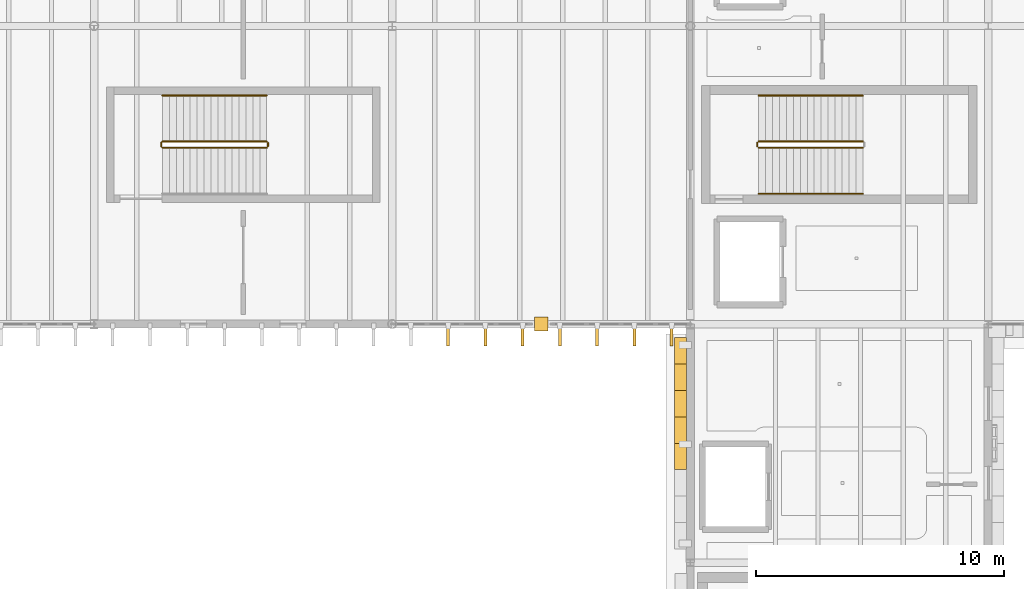
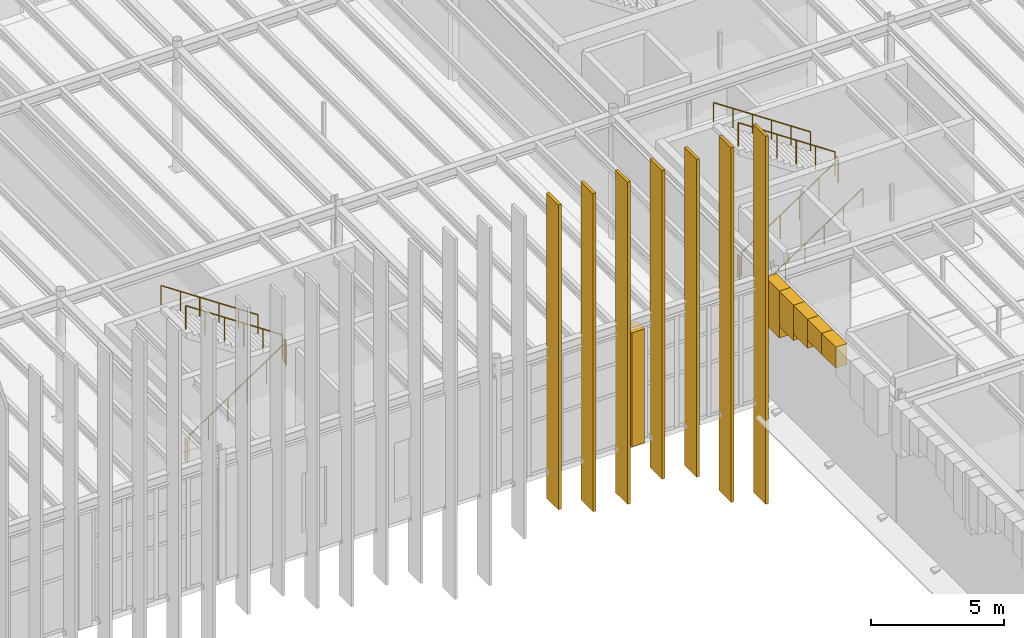
# One storey, part 69 of 83: 13 coverings, 10 railings.
"""IFC4 building model written with IfcOpenShell, lengths in metres."""

from ifc_helpers import new_model, si_unit, direction, frame, origin, origin_2d, place, context, subcontext, project, spatial, polyline, circle, outline, extrude, material, layer, layer_set, type_object, element, save


model = new_model("IFC4")

# Units and contexts
model_context = context("Model", 3, precision=1e-05, world=origin(), true_north=direction((0.0, 1.0)))
body_context = subcontext(model_context, "Body", "Model", "MODEL_VIEW")
ifc_project = project(units=[si_unit("LENGTHUNIT", "METRE"), si_unit("AREAUNIT", "SQUARE_METRE"), si_unit("VOLUMEUNIT", "CUBIC_METRE"), si_unit("PLANEANGLEUNIT", "RADIAN"), si_unit("MASSUNIT", "GRAM", prefix="KILO")], contexts=[model_context])

# Site, building, storey
site_placement = place(None, origin())
site = spatial("IfcSite", under=ifc_project, at=site_placement, CompositionType="ELEMENT")
building_placement = place(site_placement, origin())
building = spatial("IfcBuilding", under=site, at=building_placement, Name="Zlatogorsky Bluff Art Gallery", CompositionType="ELEMENT")
storey_placement = place(building_placement, frame((0.0, 0.0, 10.800048828125)))
storey = spatial("IfcBuildingStorey", under=building, at=storey_placement, Name="L02", CompositionType="ELEMENT", Elevation=10.800048828125)

# Coverings
ifc_material_1 = material(Name="Honed Red Agra-Tone Quartzitic Sandstone", Category="masonry")
ifc_layer_1 = layer(ifc_material_1, 0.1201171875)
ifc_layer_set_1 = layer_set([ifc_layer_1], Name="Carved Sandstone Cladding CLD-02")
covering_type_1 = type_object("IfcCoveringType", Name="Carved Sandstone Cladding CLD-02", PredefinedType="CLADDING", material=ifc_layer_set_1)
covering_1_placement = place(storey_placement, frame((0.0, 0.0, -0.030029296875)))
element("IfcCovering", 1, at=covering_1_placement, inside=storey, type_object=covering_type_1, Name="Mughal dalan central sandstone pier L02 S 9.8", PredefinedType="CLADDING", context=body_context, shape_type="SweptSolid", body=[
    extrude(outline(polyline([(113.719970703125, 83.719970703125), (114.280029296875, 83.719970703125), (114.280029296875, 84.280029296875), (113.719970703125, 84.280029296875), (113.719970703125, 83.719970703125)])), origin(), (0.0, 0.0, 1.0), 5.239990234375),
])
covering_2_placement = place(storey_placement, frame((0.0, 0.0, 4.995361328125)))
element("IfcCovering", 2, at=covering_2_placement, inside=storey, type_object=covering_type_1, Name="Pointed Mughal arch voussoir spandrel WARCH-L02-W-10-07-A.4", PredefinedType="CLADDING", context=body_context, shape_type="SweptSolid", body=[
    extrude(outline(polyline([(119.360107421875, 78.137451171875), (119.360107421875, 79.199951171875), (119.85009765625, 79.199951171875), (119.85009765625, 78.137451171875), (119.360107421875, 78.137451171875)])), origin(), (0.0, 0.0, 1.0), 0.964599609375),
])
covering_3_placement = place(storey_placement, frame((0.0, 0.0, 4.995361328125)))
element("IfcCovering", 3, at=covering_3_placement, inside=storey, type_object=covering_type_1, Name="Pointed Mughal arch voussoir spandrel WARCH-L02-W-10-07-A.5", PredefinedType="CLADDING", context=body_context, shape_type="SweptSolid", body=[
    extrude(outline(polyline([(119.360107421875, 79.199951171875), (119.360107421875, 80.262451171875), (119.85009765625, 80.262451171875), (119.85009765625, 79.199951171875), (119.360107421875, 79.199951171875)])), origin(), (0.0, 0.0, 1.0), 0.964599609375),
])
covering_4_placement = place(storey_placement, frame((0.0, 0.0, 4.626708984375)))
element("IfcCovering", 4, at=covering_4_placement, inside=storey, type_object=covering_type_1, Name="Pointed Mughal arch voussoir spandrel WARCH-L02-W-10-07-A.6", PredefinedType="CLADDING", context=body_context, shape_type="SweptSolid", body=[
    extrude(outline(polyline([(119.360107421875, 80.262451171875), (119.360107421875, 81.324951171875), (119.85009765625, 81.324951171875), (119.85009765625, 80.262451171875), (119.360107421875, 80.262451171875)])), origin(), (0.0, 0.0, 1.0), 1.333251953125),
])
covering_5_placement = place(storey_placement, frame((0.0, 0.0, 4.333740234375)))
element("IfcCovering", 5, at=covering_5_placement, inside=storey, type_object=covering_type_1, Name="Pointed Mughal arch voussoir spandrel WARCH-L02-W-10-07-A.7", PredefinedType="CLADDING", context=body_context, shape_type="SweptSolid", body=[
    extrude(outline(polyline([(119.360107421875, 81.324951171875), (119.360107421875, 82.387451171875), (119.85009765625, 82.387451171875), (119.85009765625, 81.324951171875), (119.360107421875, 81.324951171875)])), origin(), (0.0, 0.0, 1.0), 1.626220703125),
])
covering_6_placement = place(storey_placement, frame((0.0, 0.0, 3.80224609375)))
element("IfcCovering", 6, at=covering_6_placement, inside=storey, type_object=covering_type_1, Name="Pointed Mughal arch voussoir spandrel WARCH-L02-W-10-07-A.8", PredefinedType="CLADDING", context=body_context, shape_type="SweptSolid", body=[
    extrude(outline(polyline([(119.360107421875, 82.387451171875), (119.360107421875, 83.449951171875), (119.85009765625, 83.449951171875), (119.85009765625, 82.387451171875), (119.360107421875, 82.387451171875)])), origin(), (0.0, 0.0, 1.0), 2.15771484375),
])

# Railings
ifc_material_2 = material(Name="Architectural Bronze and Laminated Glass", Category="glass")
railing_type_1 = type_object("IfcRailingType", Name="Gallery Guard Rail 1100mm", PredefinedType="GUARDRAIL", material=ifc_material_2)
railing_1_placement = place(storey_placement, frame((98.75, 91.10009765625, 0.1875)))
element("IfcRailing", 7, at=railing_1_placement, inside=storey, type_object=railing_type_1, Name="L02 ST-01 stair guard 1", PredefinedType="GUARDRAIL", context=body_context, shape_type="SweptSolid", body=[
    extrude(circle(Radius=0.02392578125, at=origin_2d()), frame((0.0, 0.0, 1.076171875), z_axis=(0.830904186295, 0.0, 0.556415522067), x_axis=(0.0, 1.0, 0.0)), (0.0, 0.0, 1.0), 5.0546875),
    extrude(circle(Radius=0.02099609375, at=origin_2d()), origin(), (0.0, 0.0, 1.0), 1.052001953125),
    extrude(circle(Radius=0.02099609375, at=origin_2d()), frame((0.840087890625, 0.0, 0.5625)), (0.0, 0.0, 1.0), 1.052001953125),
    extrude(circle(Radius=0.02099609375, at=origin_2d()), frame((1.679931640625, 0.0, 1.125)), (0.0, 0.0, 1.0), 1.052001953125),
    extrude(circle(Radius=0.02099609375, at=origin_2d()), frame((2.52001953125, 0.0, 1.6875)), (0.0, 0.0, 1.0), 1.052001953125),
    extrude(circle(Radius=0.02099609375, at=origin_2d()), frame((3.35986328125, 0.0, 2.25)), (0.0, 0.0, 1.0), 1.052001953125),
    extrude(circle(Radius=0.02099609375, at=origin_2d()), frame((4.199951171875, 0.0, 2.8125)), (0.0, 0.0, 1.0), 1.052001953125),
])
railing_2_placement = place(storey_placement, frame((103.0, 91.14990234375, 3.0)))
element("IfcRailing", 8, at=railing_2_placement, inside=storey, type_object=railing_type_1, Name="L02 ST-01 stair guard 2", PredefinedType="GUARDRAIL", context=body_context, shape_type="SweptSolid", body=[
    extrude(circle(Radius=0.02392578125, at=origin_2d()), frame((0.0, 0.0, 1.076171875), z_axis=(0.0, 1.0, 0.0), x_axis=(-1.0, 0.0, 0.0)), (0.0, 0.0, 1.0), 0.150146484375),
    extrude(circle(Radius=0.02099609375, at=origin_2d()), origin(), (0.0, 0.0, 1.0), 1.052001953125),
    extrude(circle(Radius=0.02099609375, at=origin_2d()), frame((0.0, 0.150146484375, 0.0)), (0.0, 0.0, 1.0), 1.052001953125),
])
railing_3_placement = place(storey_placement, frame((102.949951171875, 91.35009765625, 3.1875)))
element("IfcRailing", 9, at=railing_3_placement, inside=storey, type_object=railing_type_1, Name="L02 ST-01 stair guard 3", PredefinedType="GUARDRAIL", context=body_context, shape_type="SweptSolid", body=[
    extrude(circle(Radius=0.02392578125, at=origin_2d()), frame((0.0, 0.0, 1.076171875), z_axis=(-0.830904186295, 0.0, 0.556415522067), x_axis=(0.0, -1.0, 0.0)), (0.0, 0.0, 1.0), 5.0546875),
    extrude(circle(Radius=0.02099609375, at=origin_2d()), origin(), (0.0, 0.0, 1.0), 1.052001953125),
    extrude(circle(Radius=0.02099609375, at=origin_2d()), frame((-0.840087890625, 0.0, 0.5625)), (0.0, 0.0, 1.0), 1.052001953125),
    extrude(circle(Radius=0.02099609375, at=origin_2d()), frame((-1.679931640625, 0.0, 1.125)), (0.0, 0.0, 1.0), 1.052001953125),
    extrude(circle(Radius=0.02099609375, at=origin_2d()), frame((-2.52001953125, 0.0, 1.6875)), (0.0, 0.0, 1.0), 1.052001953125),
    extrude(circle(Radius=0.02099609375, at=origin_2d()), frame((-3.35986328125, 0.0, 2.25)), (0.0, 0.0, 1.0), 1.052001953125),
    extrude(circle(Radius=0.02099609375, at=origin_2d()), frame((-4.199951171875, 0.0, 2.8125)), (0.0, 0.0, 1.0), 1.052001953125),
])
railing_4_placement = place(storey_placement, frame((98.699951171875, 91.14990234375, 0.0)))
element("IfcRailing", 10, at=railing_4_placement, inside=storey, type_object=railing_type_1, Name="L02 ST-01 stair guard 4", PredefinedType="GUARDRAIL", context=body_context, shape_type="SweptSolid", body=[
    extrude(circle(Radius=0.02392578125, at=origin_2d()), frame((0.0, 0.0, 1.076171875), z_axis=(0.0, 1.0, 0.0), x_axis=(-1.0, 0.0, 0.0)), (0.0, 0.0, 1.0), 0.150146484375),
    extrude(circle(Radius=0.02099609375, at=origin_2d()), origin(), (0.0, 0.0, 1.0), 1.052001953125),
    extrude(circle(Radius=0.02099609375, at=origin_2d()), frame((0.0, 0.150146484375, 0.0)), (0.0, 0.0, 1.0), 1.052001953125),
])
railing_5_placement = place(storey_placement, frame((122.75, 91.10009765625, 0.1875)))
element("IfcRailing", 11, at=railing_5_placement, inside=storey, type_object=railing_type_1, Name="L02 ST-02 stair guard 1", PredefinedType="GUARDRAIL", context=body_context, shape_type="SweptSolid", body=[
    extrude(circle(Radius=0.02392578125, at=origin_2d()), frame((0.0, 0.0, 1.076171875), z_axis=(0.830904186295, 0.0, 0.556415522067), x_axis=(0.0, 1.0, 0.0)), (0.0, 0.0, 1.0), 5.0546875),
    extrude(circle(Radius=0.02099609375, at=origin_2d()), origin(), (0.0, 0.0, 1.0), 1.052001953125),
    extrude(circle(Radius=0.02099609375, at=origin_2d()), frame((0.840087890625, 0.0, 0.5625)), (0.0, 0.0, 1.0), 1.052001953125),
    extrude(circle(Radius=0.02099609375, at=origin_2d()), frame((1.679931640625, 0.0, 1.125)), (0.0, 0.0, 1.0), 1.052001953125),
    extrude(circle(Radius=0.02099609375, at=origin_2d()), frame((2.52001953125, 0.0, 1.6875)), (0.0, 0.0, 1.0), 1.052001953125),
    extrude(circle(Radius=0.02099609375, at=origin_2d()), frame((3.35986328125, 0.0, 2.25)), (0.0, 0.0, 1.0), 1.052001953125),
    extrude(circle(Radius=0.02099609375, at=origin_2d()), frame((4.199951171875, 0.0, 2.8125)), (0.0, 0.0, 1.0), 1.052001953125),
])
railing_6_placement = place(storey_placement, frame((126.949951171875, 91.35009765625, 3.1875)))
element("IfcRailing", 12, at=railing_6_placement, inside=storey, type_object=railing_type_1, Name="L02 ST-02 stair guard 3", PredefinedType="GUARDRAIL", context=body_context, shape_type="SweptSolid", body=[
    extrude(circle(Radius=0.02392578125, at=origin_2d()), frame((0.0, 0.0, 1.076171875), z_axis=(-0.830904186295, 0.0, 0.556415522067), x_axis=(0.0, -1.0, 0.0)), (0.0, 0.0, 1.0), 5.0546875),
    extrude(circle(Radius=0.02099609375, at=origin_2d()), origin(), (0.0, 0.0, 1.0), 1.052001953125),
    extrude(circle(Radius=0.02099609375, at=origin_2d()), frame((-0.840087890625, 0.0, 0.5625)), (0.0, 0.0, 1.0), 1.052001953125),
    extrude(circle(Radius=0.02099609375, at=origin_2d()), frame((-1.679931640625, 0.0, 1.125)), (0.0, 0.0, 1.0), 1.052001953125),
    extrude(circle(Radius=0.02099609375, at=origin_2d()), frame((-2.52001953125, 0.0, 1.6875)), (0.0, 0.0, 1.0), 1.052001953125),
    extrude(circle(Radius=0.02099609375, at=origin_2d()), frame((-3.35986328125, 0.0, 2.25)), (0.0, 0.0, 1.0), 1.052001953125),
    extrude(circle(Radius=0.02099609375, at=origin_2d()), frame((-4.199951171875, 0.0, 2.8125)), (0.0, 0.0, 1.0), 1.052001953125),
])
railing_7_placement = place(storey_placement, frame((122.699951171875, 91.14990234375, 0.0)))
element("IfcRailing", 13, at=railing_7_placement, inside=storey, type_object=railing_type_1, Name="L02 ST-02 stair guard 4", PredefinedType="GUARDRAIL", context=body_context, shape_type="SweptSolid", body=[
    extrude(circle(Radius=0.02392578125, at=origin_2d()), frame((0.0, 0.0, 1.076171875), z_axis=(0.0, 1.0, 0.0), x_axis=(-1.0, 0.0, 0.0)), (0.0, 0.0, 1.0), 0.150146484375),
    extrude(circle(Radius=0.02099609375, at=origin_2d()), origin(), (0.0, 0.0, 1.0), 1.052001953125),
    extrude(circle(Radius=0.02099609375, at=origin_2d()), frame((0.0, 0.150146484375, 0.0)), (0.0, 0.0, 1.0), 1.052001953125),
])
ifc_material_3 = material(Name="Brushed Stainless Steel", Category="steel")
railing_type_2 = type_object("IfcRailingType", Name="Stair Pitch Handrail 900mm", PredefinedType="HANDRAIL", material=ifc_material_3)
railing_8_placement = place(storey_placement, frame((102.949951171875, 93.199951171875, 3.1875)))
element("IfcRailing", 14, at=railing_8_placement, inside=storey, type_object=railing_type_2, Name="L02 ST-01 stair handrail 2", PredefinedType="HANDRAIL", context=body_context, shape_type="SweptSolid", body=[
    extrude(circle(Radius=0.02392578125, at=origin_2d()), frame((0.0, 0.0, 0.8759765625), z_axis=(-0.830904186295, 0.0, 0.556415522067), x_axis=(0.0, -1.0, 0.0)), (0.0, 0.0, 1.0), 5.0546875),
    extrude(circle(Radius=0.02099609375, at=origin_2d()), origin(), (0.0, 0.0, 1.0), 0.851806640625),
    extrude(circle(Radius=0.02099609375, at=origin_2d()), frame((-0.840087890625, 0.0, 0.5625)), (0.0, 0.0, 1.0), 0.851806640625),
    extrude(circle(Radius=0.02099609375, at=origin_2d()), frame((-1.679931640625, 0.0, 1.125)), (0.0, 0.0, 1.0), 0.851806640625),
    extrude(circle(Radius=0.02099609375, at=origin_2d()), frame((-2.52001953125, 0.0, 1.6875)), (0.0, 0.0, 1.0), 0.851806640625),
    extrude(circle(Radius=0.02099609375, at=origin_2d()), frame((-3.35986328125, 0.0, 2.25)), (0.0, 0.0, 1.0), 0.851806640625),
    extrude(circle(Radius=0.02099609375, at=origin_2d()), frame((-4.199951171875, 0.0, 2.8125)), (0.0, 0.0, 1.0), 0.851806640625),
])
railing_9_placement = place(storey_placement, frame((122.75, 89.25, 0.1875)))
element("IfcRailing", 15, at=railing_9_placement, inside=storey, type_object=railing_type_2, Name="L02 ST-02 stair handrail 1", PredefinedType="HANDRAIL", context=body_context, shape_type="SweptSolid", body=[
    extrude(circle(Radius=0.02392578125, at=origin_2d()), frame((0.0, 0.0, 0.8759765625), z_axis=(0.830904186295, 0.0, 0.556415522067), x_axis=(0.0, 1.0, 0.0)), (0.0, 0.0, 1.0), 5.0546875),
    extrude(circle(Radius=0.02099609375, at=origin_2d()), origin(), (0.0, 0.0, 1.0), 0.851806640625),
    extrude(circle(Radius=0.02099609375, at=origin_2d()), frame((0.840087890625, 0.0, 0.5625)), (0.0, 0.0, 1.0), 0.851806640625),
    extrude(circle(Radius=0.02099609375, at=origin_2d()), frame((1.679931640625, 0.0, 1.125)), (0.0, 0.0, 1.0), 0.851806640625),
    extrude(circle(Radius=0.02099609375, at=origin_2d()), frame((2.52001953125, 0.0, 1.6875)), (0.0, 0.0, 1.0), 0.851806640625),
    extrude(circle(Radius=0.02099609375, at=origin_2d()), frame((3.35986328125, 0.0, 2.25)), (0.0, 0.0, 1.0), 0.851806640625),
    extrude(circle(Radius=0.02099609375, at=origin_2d()), frame((4.199951171875, 0.0, 2.8125)), (0.0, 0.0, 1.0), 0.851806640625),
])
railing_10_placement = place(storey_placement, frame((126.949951171875, 93.199951171875, 3.1875)))
element("IfcRailing", 16, at=railing_10_placement, inside=storey, type_object=railing_type_2, Name="L02 ST-02 stair handrail 2", PredefinedType="HANDRAIL", context=body_context, shape_type="SweptSolid", body=[
    extrude(circle(Radius=0.02392578125, at=origin_2d()), frame((0.0, 0.0, 0.8759765625), z_axis=(-0.830904186295, 0.0, 0.556415522067), x_axis=(0.0, -1.0, 0.0)), (0.0, 0.0, 1.0), 5.0546875),
    extrude(circle(Radius=0.02099609375, at=origin_2d()), origin(), (0.0, 0.0, 1.0), 0.851806640625),
    extrude(circle(Radius=0.02099609375, at=origin_2d()), frame((-0.840087890625, 0.0, 0.5625)), (0.0, 0.0, 1.0), 0.851806640625),
    extrude(circle(Radius=0.02099609375, at=origin_2d()), frame((-1.679931640625, 0.0, 1.125)), (0.0, 0.0, 1.0), 0.851806640625),
    extrude(circle(Radius=0.02099609375, at=origin_2d()), frame((-2.52001953125, 0.0, 1.6875)), (0.0, 0.0, 1.0), 0.851806640625),
    extrude(circle(Radius=0.02099609375, at=origin_2d()), frame((-3.35986328125, 0.0, 2.25)), (0.0, 0.0, 1.0), 0.851806640625),
    extrude(circle(Radius=0.02099609375, at=origin_2d()), frame((-4.199951171875, 0.0, 2.8125)), (0.0, 0.0, 1.0), 0.851806640625),
])

# Coverings
ifc_material_4 = material(Name="Patinated Architectural Bronze Fin", Category="metal")
ifc_layer_2 = layer(ifc_material_4, 0.110107421875)
ifc_layer_set_2 = layer_set([ifc_layer_2], Name="Vertical Gallery Fin FIN-01")
covering_type_2 = type_object("IfcCoveringType", Name="Vertical Gallery Fin FIN-01", PredefinedType="CLADDING", material=ifc_layer_set_2)
covering_7_placement = place(storey_placement, frame((0.0, 0.0, -1.321044921875)))
element("IfcCovering", 17, at=covering_7_placement, inside=storey, type_object=covering_type_2, Name="Lifted gallery vertical bronze fin S.065", PredefinedType="CLADDING", context=body_context, shape_type="SweptSolid", body=[
    extrude(outline(polyline([(110.18994140625, 83.1201171875), (110.31005859375, 83.1201171875), (110.31005859375, 84.0400390625), (110.18994140625, 84.0400390625), (110.18994140625, 83.1201171875)])), origin(), (0.0, 0.0, 1.0), 14.0009765625),
])
covering_8_placement = place(storey_placement, frame((0.0, 0.0, -1.93408203125)))
element("IfcCovering", 18, at=covering_8_placement, inside=storey, type_object=covering_type_2, Name="Lifted gallery vertical bronze fin S.066", PredefinedType="CLADDING", context=body_context, shape_type="SweptSolid", body=[
    extrude(outline(polyline([(111.68994140625, 83.1201171875), (111.81005859375, 83.1201171875), (111.81005859375, 84.0400390625), (111.68994140625, 84.0400390625), (111.68994140625, 83.1201171875)])), origin(), (0.0, 0.0, 1.0), 14.614013671875),
])
covering_9_placement = place(storey_placement, frame((0.0, 0.0, -2.1201171875)))
element("IfcCovering", 19, at=covering_9_placement, inside=storey, type_object=covering_type_2, Name="Lifted gallery vertical bronze fin S.067", PredefinedType="CLADDING", context=body_context, shape_type="SweptSolid", body=[
    extrude(outline(polyline([(113.18994140625, 83.1201171875), (113.31005859375, 83.1201171875), (113.31005859375, 84.0400390625), (113.18994140625, 84.0400390625), (113.18994140625, 83.1201171875)])), origin(), (0.0, 0.0, 1.0), 14.800048828125),
])
covering_10_placement = place(storey_placement, frame((0.0, 0.0, -1.491943359375)))
element("IfcCovering", 20, at=covering_10_placement, inside=storey, type_object=covering_type_2, Name="Lifted gallery vertical bronze fin S.068", PredefinedType="CLADDING", context=body_context, shape_type="SweptSolid", body=[
    extrude(outline(polyline([(114.68994140625, 83.1201171875), (114.81005859375, 83.1201171875), (114.81005859375, 84.0400390625), (114.68994140625, 84.0400390625), (114.68994140625, 83.1201171875)])), origin(), (0.0, 0.0, 1.0), 14.171875),
])
covering_11_placement = place(storey_placement, frame((0.0, 0.0, -1.921142578125)))
element("IfcCovering", 21, at=covering_11_placement, inside=storey, type_object=covering_type_2, Name="Lifted gallery vertical bronze fin S.069", PredefinedType="CLADDING", context=body_context, shape_type="SweptSolid", body=[
    extrude(outline(polyline([(116.18994140625, 83.1201171875), (116.31005859375, 83.1201171875), (116.31005859375, 84.0400390625), (116.18994140625, 84.0400390625), (116.18994140625, 83.1201171875)])), origin(), (0.0, 0.0, 1.0), 14.60107421875),
])
covering_12_placement = place(storey_placement, frame((0.0, 0.0, -3.60302734375)))
element("IfcCovering", 22, at=covering_12_placement, inside=storey, type_object=covering_type_2, Name="Lifted gallery vertical bronze fin S.070", PredefinedType="CLADDING", context=body_context, shape_type="SweptSolid", body=[
    extrude(outline(polyline([(117.68994140625, 83.1201171875), (117.81005859375, 83.1201171875), (117.81005859375, 84.0400390625), (117.68994140625, 84.0400390625), (117.68994140625, 83.1201171875)])), origin(), (0.0, 0.0, 1.0), 16.282958984375),
])
covering_13_placement = place(storey_placement, frame((0.0, 0.0, -4.218017578125)))
element("IfcCovering", 23, at=covering_13_placement, inside=storey, type_object=covering_type_2, Name="Lifted gallery vertical bronze fin S.071", PredefinedType="CLADDING", context=body_context, shape_type="SweptSolid", body=[
    extrude(outline(polyline([(119.18994140625, 83.1201171875), (119.31005859375, 83.1201171875), (119.31005859375, 84.0400390625), (119.18994140625, 84.0400390625), (119.18994140625, 83.1201171875)])), origin(), (0.0, 0.0, 1.0), 16.89794921875),
])

save(model, "model.ifc")
